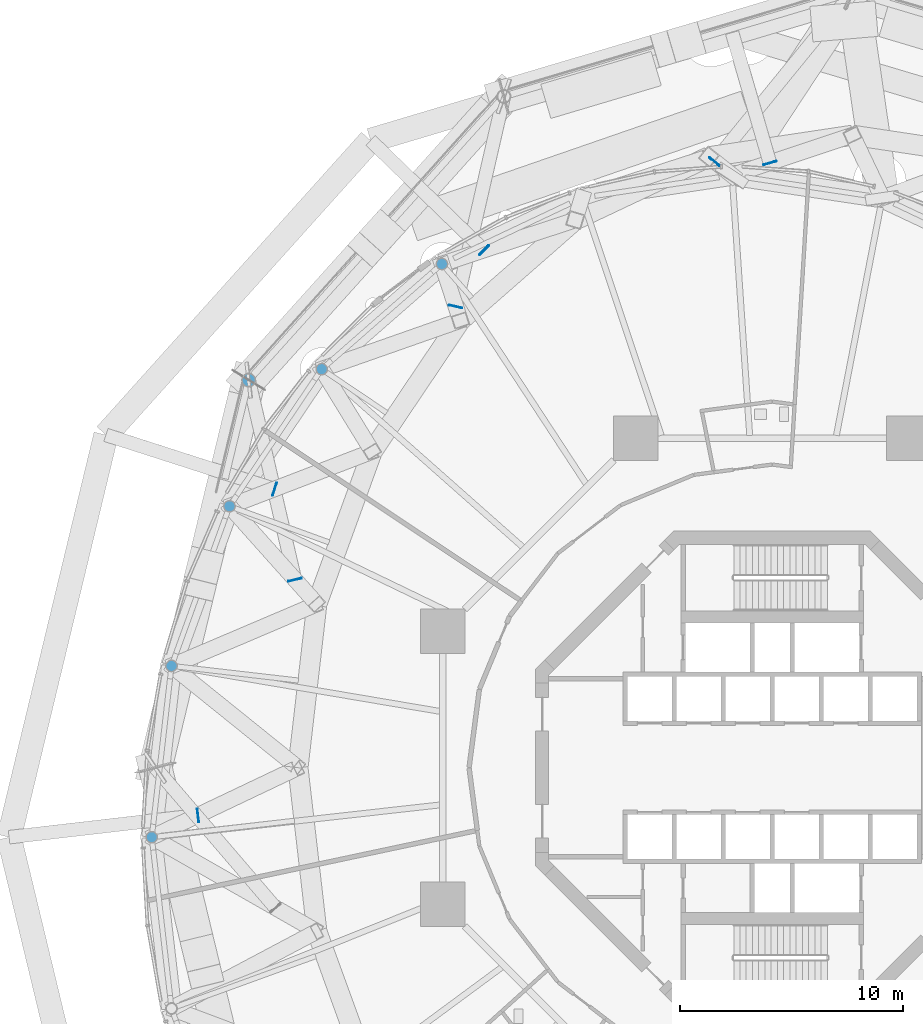
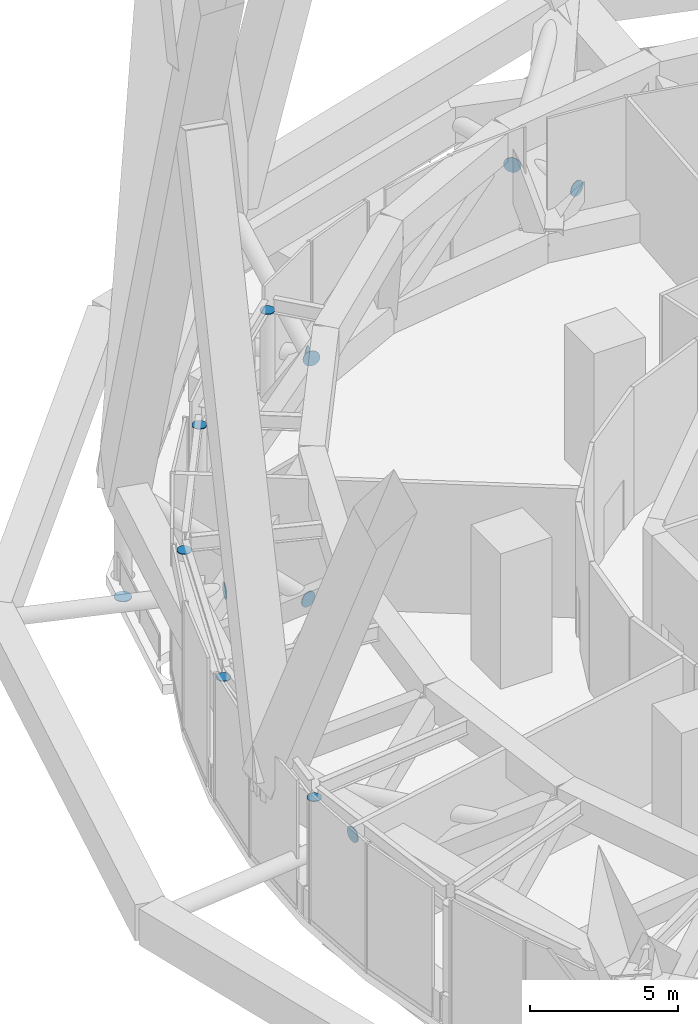
# One storey, part 44 of 49: 13 discrete accessories.
"""IFC4 building model written with IfcOpenShell, lengths in metres."""

from ifc_helpers import new_model, si_unit, direction, frame, origin, origin_2d, place, context, subcontext, project, spatial, circle, extrude, material, layer, layer_set, type_object, element, save


model = new_model("IFC4")

# Units and contexts
model_context = context("Model", 3, precision=1e-05, world=origin(), true_north=direction((0.0, 1.0)))
body_context = subcontext(model_context, "Body", "Model", "MODEL_VIEW")
ifc_project = project(units=[si_unit("LENGTHUNIT", "METRE"), si_unit("AREAUNIT", "SQUARE_METRE"), si_unit("VOLUMEUNIT", "CUBIC_METRE"), si_unit("PLANEANGLEUNIT", "RADIAN"), si_unit("MASSUNIT", "GRAM", prefix="KILO")], contexts=[model_context])

# Site, building, storey
site_placement = place(None, origin())
site = spatial("IfcSite", under=ifc_project, at=site_placement, CompositionType="ELEMENT")
building_placement = place(site_placement, origin())
building = spatial("IfcBuilding", under=site, at=building_placement, Name="Nagisa Residences", CompositionType="ELEMENT")
storey_placement = place(building_placement, frame((0.0, 0.0, 160.300048828125)))
storey = spatial("IfcBuildingStorey", under=building, at=storey_placement, Name="L40", CompositionType="ELEMENT", Elevation=160.300048828125)

# Discrete accessories
ifc_material_1 = material(Name="Steel ASTM A572 Gr 50", Category="steel")
ifc_layer_1 = layer(ifc_material_1, 0.030029296875)
ifc_layer_set_1 = layer_set([ifc_layer_1], Name="End plate")
discrete_accessory_type_1 = type_object("IfcDiscreteAccessoryType", Name="End plate", PredefinedType="ANCHORPLATE", material=ifc_layer_set_1)
discrete_accessory_1_placement = place(storey_placement, frame((-23.48486328125, 17.387451171875, -0.89013671875), z_axis=(0.0, 0.0, -1.0), x_axis=(1.0, 0.0, 0.0)))
element("IfcDiscreteAccessory", 1, at=discrete_accessory_1_placement, inside=storey, type_object=discrete_accessory_type_1, Name="End plate DH306", PredefinedType="ANCHORPLATE", context=body_context, shape_type="SweptSolid", body=[
    extrude(circle(Radius=0.304931640625, at=origin_2d()), origin(), (0.0, 0.0, 1.0), 0.030029296875),
])
for number, where, z_axis, x_axis, name in (
    (2, (-14.8173828125, 22.598876953125, 4.737060546875), (0.0, 0.0, 1.0), (1.0, 0.0, 0.0), "End plate GP309"),
    (3, (-20.20947265625, 17.8798828125, 4.737060546875), (0.0, 0.0, 1.0), (1.0, 0.0, 0.0), "End plate GP310"),
    (4, (-24.346923828125, 11.729736328125, 4.737060546875), (0.0, 0.0, 1.0), (1.0, 0.0, 0.0), "End plate GP311"),
    (5, (-26.947998046875, 4.56787109375, 4.737060546875), (0.0, 0.0, 1.0), (1.0, 0.0, 0.0), "End plate GP312"),
    (6, (-27.8349609375, -3.11767578125, 4.737060546875), (0.0, 0.0, 1.0), (1.0, 0.0, 0.0), "End plate GP313"),
):
    element("IfcDiscreteAccessory", number, at=place(storey_placement, frame(where, z_axis=z_axis, x_axis=x_axis)), inside=storey, type_object=discrete_accessory_type_1, Name=name, PredefinedType="ANCHORPLATE", context=body_context, shape_type="SweptSolid", body=[
        extrude(circle(Radius=0.25390625, at=origin_2d()), origin(), (0.0, 0.0, 1.0), 0.02978515625),
    ])
ifc_material_2 = material(Name="Steel ASTM A572 Gr 50", Category="steel")
ifc_layer_2 = layer(ifc_material_2, 0.030029296875)
ifc_layer_set_2 = layer_set([ifc_layer_2], Name="Node plate")
discrete_accessory_type_2 = type_object("IfcDiscreteAccessoryType", Name="Node plate", PredefinedType="ANCHORPLATE", material=ifc_layer_set_2)
for number, where, z_axis, x_axis, name in (
    (7, (-0.104248046875, 27.141845703125, 1.89990234375), (0.276871495343, -0.960906954427, 0.0), (0.960906954427, 0.276871495343, 0.0), "Node plate ST3A04"),
    (8, (-12.939697265625, 23.218994140625, 1.89990234375), (0.715187202401, -0.698932947801, 0.0), (0.698932947801, 0.715187202401, 0.0), "Node plate ST3A05"),
    (9, (-22.3359375, 12.50146484375, 1.89990234375), (0.953459423273, -0.301521356078, 0.0), (0.301521356078, 0.953459423273, 0.0), "Node plate ST3A06"),
    (10, (-25.775146484375, -2.138671875, 1.89990234375), (0.993480071526, 0.114005909847, 0.0), (-0.114005909847, 0.993480071526, 0.0), "Node plate ST3A07"),
):
    element("IfcDiscreteAccessory", number, at=place(storey_placement, frame(where, z_axis=z_axis, x_axis=x_axis)), inside=storey, type_object=discrete_accessory_type_2, Name=name, PredefinedType="ANCHORPLATE", context=body_context, shape_type="SweptSolid", body=[
        extrude(circle(Radius=0.304931640625, at=origin_2d()), origin(), (0.0, 0.0, 1.0), 0.030029296875),
    ])
discrete_accessory_2_placement = place(storey_placement, frame((-2.577392578125, 27.199462890625, 3.699951171875), z_axis=(-0.629668600516, -0.77686385778, 0.0), x_axis=(0.77686385778, -0.629668600516, 0.0)))
element("IfcDiscreteAccessory", 11, at=discrete_accessory_2_placement, inside=storey, type_object=discrete_accessory_type_2, Name="Node plate ST4B04", PredefinedType="ANCHORPLATE", context=body_context, shape_type="SweptSolid", body=[
    extrude(circle(Radius=0.304931640625, at=origin_2d()), origin(), (0.0, 0.0, 1.0), 0.02978515625),
])
for number, where, z_axis, x_axis, name in (
    (12, (-14.197265625, 20.700927734375, 3.699951171875), (-0.227229615606, -0.973841209742, 0.0), (0.973841209742, -0.227229615606, 0.0), "Node plate ST4B05"),
    (13, (-21.412109375, 8.44580078125, 3.699951171875), (0.227229615606, -0.973841209742, 0.0), (0.973841209742, 0.227229615606, 0.0), "Node plate ST4B06"),
):
    element("IfcDiscreteAccessory", number, at=place(storey_placement, frame(where, z_axis=z_axis, x_axis=x_axis)), inside=storey, type_object=discrete_accessory_type_2, Name=name, PredefinedType="ANCHORPLATE", context=body_context, shape_type="SweptSolid", body=[
        extrude(circle(Radius=0.304931640625, at=origin_2d()), origin(), (0.0, 0.0, 1.0), 0.030029296875),
    ])

save(model, "model.ifc")
